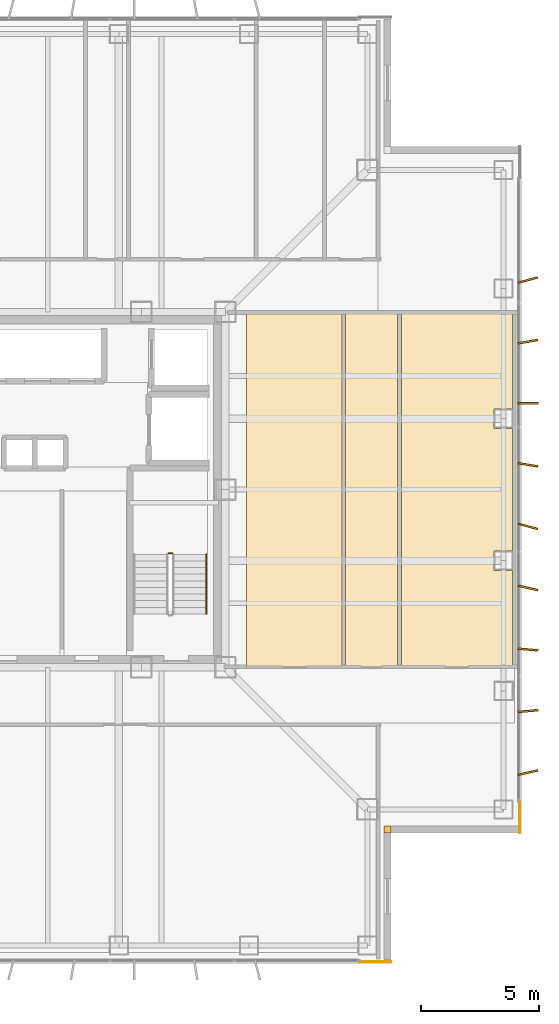
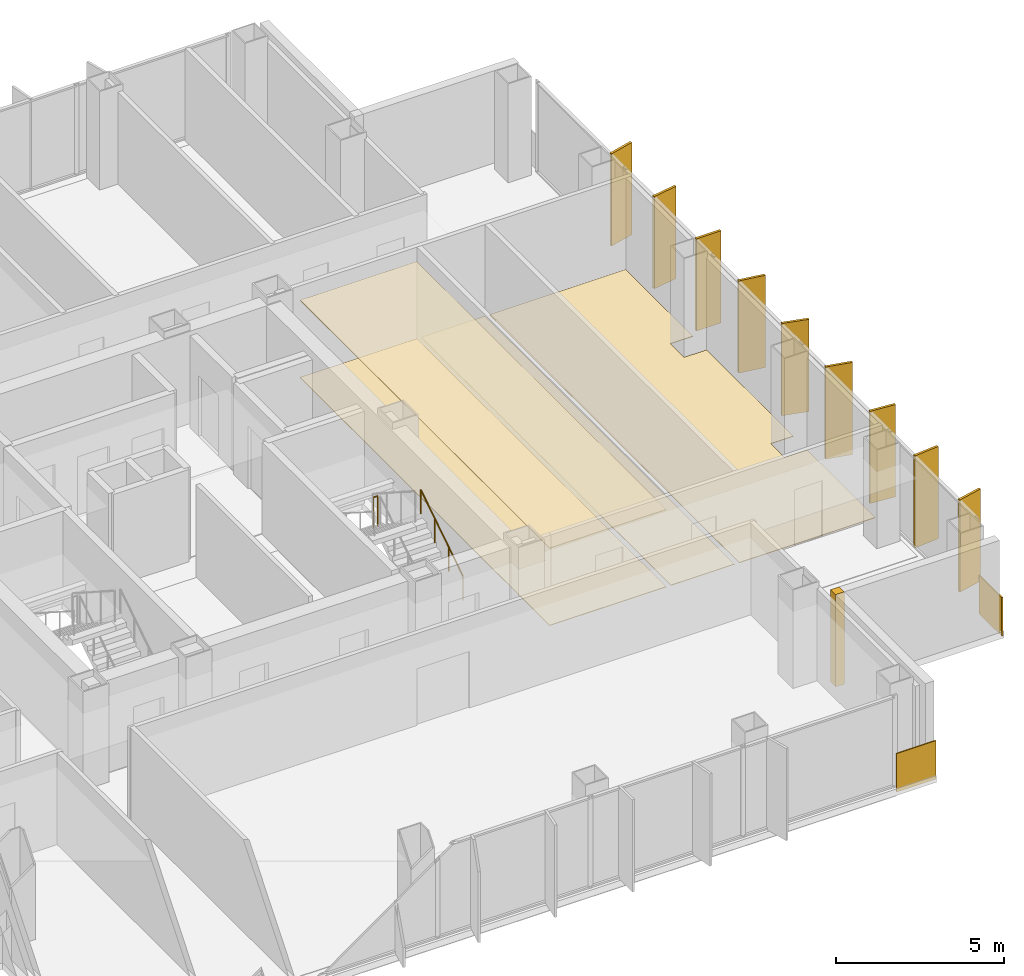
# One storey, part 16 of 17: 9 shading devices, 7 coverings, 2 railings.
"""IFC4 building model written with IfcOpenShell, lengths in metres."""

from ifc_helpers import new_model, si_unit, direction, frame, frame_2d, origin, origin_2d, place, context, subcontext, project, spatial, polyline, rectangle, circle, outline, extrude, material, layer, layer_set, type_object, element, save


model = new_model("IFC4")

# Units and contexts
model_context = context("Model", 3, precision=1e-05, world=origin(), true_north=direction((0.0, 1.0)))
body_context = subcontext(model_context, "Body", "Model", "MODEL_VIEW")
ifc_project = project(units=[si_unit("LENGTHUNIT", "METRE"), si_unit("AREAUNIT", "SQUARE_METRE"), si_unit("VOLUMEUNIT", "CUBIC_METRE"), si_unit("PLANEANGLEUNIT", "RADIAN"), si_unit("MASSUNIT", "GRAM", prefix="KILO")], contexts=[model_context])

# Site, building, storey
site_placement = place(None, origin())
site = spatial("IfcSite", under=ifc_project, at=site_placement, CompositionType="ELEMENT")
building_placement = place(site_placement, origin())
building = spatial("IfcBuilding", under=site, at=building_placement, Name="Trevonay Congress Spire", CompositionType="ELEMENT")
storey_placement = place(building_placement, frame((0.0, 0.0, 184.199951171875)))
storey = spatial("IfcBuildingStorey", under=building, at=storey_placement, Name="L47", CompositionType="ELEMENT", Elevation=184.199951171875)

# Coverings
ifc_material_1 = material(Name="Acoustic Mineral Fibre Board", Category="gypsum")
ifc_layer_1 = layer(ifc_material_1, 0.02490234375, Name="Acoustic Mineral Fibre Board")
ifc_layer_set_1 = layer_set([ifc_layer_1], Name="Acoustic Mineral Fibre Board")
covering_type_1 = type_object("IfcCoveringType", Name="COV-CEIL-ACOUSTIC", PredefinedType="CEILING", material=ifc_layer_set_1)
covering_1_placement = place(storey_placement, frame((0.0, 0.0, 2.81005859375)))
element("IfcCovering", 1, at=covering_1_placement, inside=storey, type_object=covering_type_1, Name="L47 Hearing Catering Pantry acoustic suspended ceiling", PredefinedType="CEILING", context=body_context, shape_type="SweptSolid", body=[
    extrude(outline(polyline([(8.39990234375, -7.47998046875), (12.419921875, -7.47998046875), (12.419921875, 7.419921875), (8.39990234375, 7.419921875), (8.39990234375, -7.47998046875)])), origin(), (0.0, 0.0, 1.0), 0.02490234375),
])
ifc_material_2 = material(Name="Polished Granite Floor Tile", Category="masonry")
ifc_layer_2 = layer(ifc_material_2, 0.02001953125, Name="Polished Granite Floor Tile")
ifc_layer_set_2 = layer_set([ifc_layer_2], Name="Polished Granite Floor Tile")
covering_type_2 = type_object("IfcCoveringType", Name="COV-FLOOR-STONE", PredefinedType="FLOORING", material=ifc_layer_set_2)
covering_2_placement = place(storey_placement, origin())
element("IfcCovering", 2, at=covering_2_placement, inside=storey, type_object=covering_type_2, Name="L47 Hearing Catering Pantry floor finish", PredefinedType="FLOORING", context=body_context, shape_type="SweptSolid", body=[
    extrude(outline(polyline([(8.39990234375, -7.47998046875), (12.419921875, -7.47998046875), (12.419921875, 7.419921875), (8.39990234375, 7.419921875), (8.39990234375, -7.47998046875)])), origin(), (0.0, 0.0, 1.0), 0.02001953125),
])
covering_3_placement = place(storey_placement, origin())
element("IfcCovering", 3, at=covering_3_placement, inside=storey, type_object=covering_type_2, Name="L47 Male Restroom WC floor finish", PredefinedType="FLOORING", context=body_context, shape_type="SweptSolid", body=[
    extrude(outline(polyline([(12.580078125, -7.47998046875), (14.77001953125, -7.47998046875), (14.77001953125, 7.419921875), (12.580078125, 7.419921875), (12.580078125, -7.47998046875)])), origin(), (0.0, 0.0, 1.0), 0.02001953125),
])
covering_4_placement = place(storey_placement, origin())
element("IfcCovering", 4, at=covering_4_placement, inside=storey, type_object=covering_type_2, Name="L47 Floor Supplies and Copy Room floor finish", PredefinedType="FLOORING", context=body_context, shape_type="SweptSolid", body=[
    extrude(outline(polyline([(19.6201171875, -7.47998046875), (14.929931640625, -7.47998046875), (14.929931640625, 7.419921875), (19.6201171875, 7.419921875), (19.6201171875, 3.409912109375), (18.840087890625, 3.409912109375), (18.840087890625, 2.590087890625), (19.6201171875, 2.590087890625), (19.6201171875, -2.590087890625), (18.840087890625, -2.590087890625), (18.840087890625, -3.409912109375), (19.6201171875, -3.409912109375), (19.6201171875, -7.47998046875)])), origin(), (0.0, 0.0, 1.0), 0.02001953125),
])
ifc_material_3 = material(Name="Pale Anodised Aluminium EN AW-6063-T6", Category="aluminium")
ifc_layer_3 = layer(ifc_material_3, 0.0400390625, Name="Pale Anodised Aluminium EN AW-6063-T6")
ifc_layer_set_3 = layer_set([ifc_layer_3], Name="Pale Anodised Aluminium EN AW-6063-T6")
covering_type_3 = type_object("IfcCoveringType", Name="COV-SPANDREL-PALE-METAL", PredefinedType="CLADDING", material=ifc_layer_set_3)
covering_5_placement = place(storey_placement, origin())
element("IfcCovering", 5, at=covering_5_placement, inside=storey, type_object=covering_type_3, Name="L47 SE re-entrant notch corner closure trim", PredefinedType="CLADDING", context=body_context, shape_type="SweptSolid", body=[
    extrude(outline(polyline([(14.199951171875, -14.5), (14.5, -14.5), (14.5, -14.199951171875), (14.199951171875, -14.199951171875), (14.199951171875, -14.5)])), origin(), (0.0, 0.0, 1.0), 3.360107421875),
])
for number, where, z_axis, x_axis, name in (
    (6, (19.93994140625, -13.14990234375, -0.14990234375), (0.0, 0.0, 1.0), (0.0, -1.0, 0.0), "L47 SE corner pier spandrel cladding 1"),
    (7, (13.14990234375, -19.93994140625, -0.14990234375), (0.0, 0.0, 1.0), (1.0, 0.0, 0.0), "L47 SE corner pier spandrel cladding 2"),
):
    element("IfcCovering", number, at=place(storey_placement, frame(where, z_axis=z_axis, x_axis=x_axis)), inside=storey, type_object=covering_type_3, Name=name, PredefinedType="CLADDING", context=body_context, shape_type="SweptSolid", body=[
        extrude(rectangle(XDim=1.35009765625, YDim=0.0400390625, at=frame_2d((0.675048828125, 0.0))), origin(), (0.0, 0.0, 1.0), 1.39990234375),
    ])

# Railings
railing_type_1 = type_object("IfcRailingType", Name="RAL-STAIR-GUARD-110", PredefinedType="GUARDRAIL", material=ifc_material_3)
railing_1_placement = place(storey_placement, frame((5.25, -2.679931640625, 1.800048828125)))
element("IfcRailing", 8, at=railing_1_placement, inside=storey, type_object=railing_type_1, Name="L47 ST-2 stair guard 2", PredefinedType="GUARDRAIL", context=body_context, shape_type="SweptSolid", body=[
    extrude(circle(Radius=0.02392578125, at=origin_2d()), frame((0.0, 0.0, 1.1259765625), z_axis=(-1.0, 0.0, 0.0), x_axis=(0.0, -1.0, 0.0)), (0.0, 0.0, 1.0), 0.14990234375),
    extrude(circle(Radius=0.02099609375, at=origin_2d()), origin(), (0.0, 0.0, 1.0), 1.101806640625),
    extrude(circle(Radius=0.02099609375, at=origin_2d()), frame((-0.14990234375, 0.0, 0.0)), (0.0, 0.0, 1.0), 1.101806640625),
])
railing_type_2 = type_object("IfcRailingType", Name="RAL-STAIR-HANDRAIL", PredefinedType="HANDRAIL", material=ifc_material_3)
railing_2_placement = place(storey_placement, frame((6.699951171875, -5.25, 0.179931640625)))
element("IfcRailing", 9, at=railing_2_placement, inside=storey, type_object=railing_type_2, Name="L47 ST-2 stair handrail 1", PredefinedType="HANDRAIL", context=body_context, shape_type="SweptSolid", body=[
    extrude(circle(Radius=0.02392578125, at=origin_2d()), frame((0.0, 0.0, 0.8759765625), z_axis=(0.0, 0.841162588446, 0.540782303519), x_axis=(-1.0, 0.0, 0.0)), (0.0, 0.0, 1.0), 2.995849609375),
    extrude(circle(Radius=0.02099609375, at=origin_2d()), origin(), (0.0, 0.0, 1.0), 0.851806640625),
    extrude(circle(Radius=0.02099609375, at=origin_2d()), frame((0.0, 0.840087890625, 0.5400390625)), (0.0, 0.0, 1.0), 0.851806640625),
    extrude(circle(Radius=0.02099609375, at=origin_2d()), frame((0.0, 1.679931640625, 1.080078125)), (0.0, 0.0, 1.0), 0.851806640625),
    extrude(circle(Radius=0.02099609375, at=origin_2d()), frame((0.0, 2.52001953125, 1.6201171875)), (0.0, 0.0, 1.0), 0.851806640625),
])

# Shading devices
shading_device_type = type_object("IfcShadingDeviceType", Name="SHD-FIN-Z3-PALE-METAL", PredefinedType="USERDEFINED", material=ifc_material_3)
for number, where, z_axis, x_axis, name in (
    (10, (20.280029296875, -11.949951171875, 0.0), (0.0, 0.0, 1.0), (-0.224780991261, 0.97440931131, 0.0), "L47 E vertical pale-metal solar fin 1"),
    (11, (20.280029296875, -9.35009765625, 0.0), (0.0, 0.0, 1.0), (-0.089415810539, 0.995994383933, 0.0), "L47 E vertical pale-metal solar fin 2"),
    (12, (20.280029296875, -6.75, 0.0), (0.0, 0.0, 1.0), (0.089415810539, 0.995994383933, 0.0), "L47 E vertical pale-metal solar fin 3"),
    (13, (20.280029296875, -4.14990234375, 0.0), (0.0, 0.0, 1.0), (0.224780991261, 0.97440931131, 0.0), "L47 E vertical pale-metal solar fin 4"),
    (14, (20.280029296875, -1.550048828125, 0.0), (0.0, 0.0, 1.0), (0.2549394954, 0.966957007154, 0.0), "L47 E vertical pale-metal solar fin 5"),
    (15, (20.280029296875, 1.050048828125, 0.0), (0.0, 0.0, 1.0), (0.16745706111, 0.98587937025, 0.0), "L47 E vertical pale-metal solar fin 6"),
    (16, (20.280029296875, 3.64990234375, 0.0), (0.0, 0.0, 1.0), (0.0, 1.0, 0.0), "L47 E vertical pale-metal solar fin 7"),
    (17, (20.280029296875, 6.25, 0.0), (0.0, 0.0, 1.0), (-0.16745706111, 0.98587937025, 0.0), "L47 E vertical pale-metal solar fin 8"),
    (18, (20.280029296875, 8.85009765625, 0.0), (0.0, 0.0, 1.0), (-0.2549394954, 0.966957007154, 0.0), "L47 E vertical pale-metal solar fin 9"),
):
    element("IfcShadingDevice", number, at=place(storey_placement, frame(where, z_axis=z_axis, x_axis=x_axis)), inside=storey, type_object=shading_device_type, Name=name, ObjectType="SOLAR FIN", PredefinedType="USERDEFINED", context=body_context, shape_type="SweptSolid", body=[
        extrude(rectangle(XDim=0.080078125, YDim=0.85009765625, at=origin_2d()), origin(), (0.0, 0.0, 1.0), 3.360107421875),
    ])

save(model, "model.ifc")
